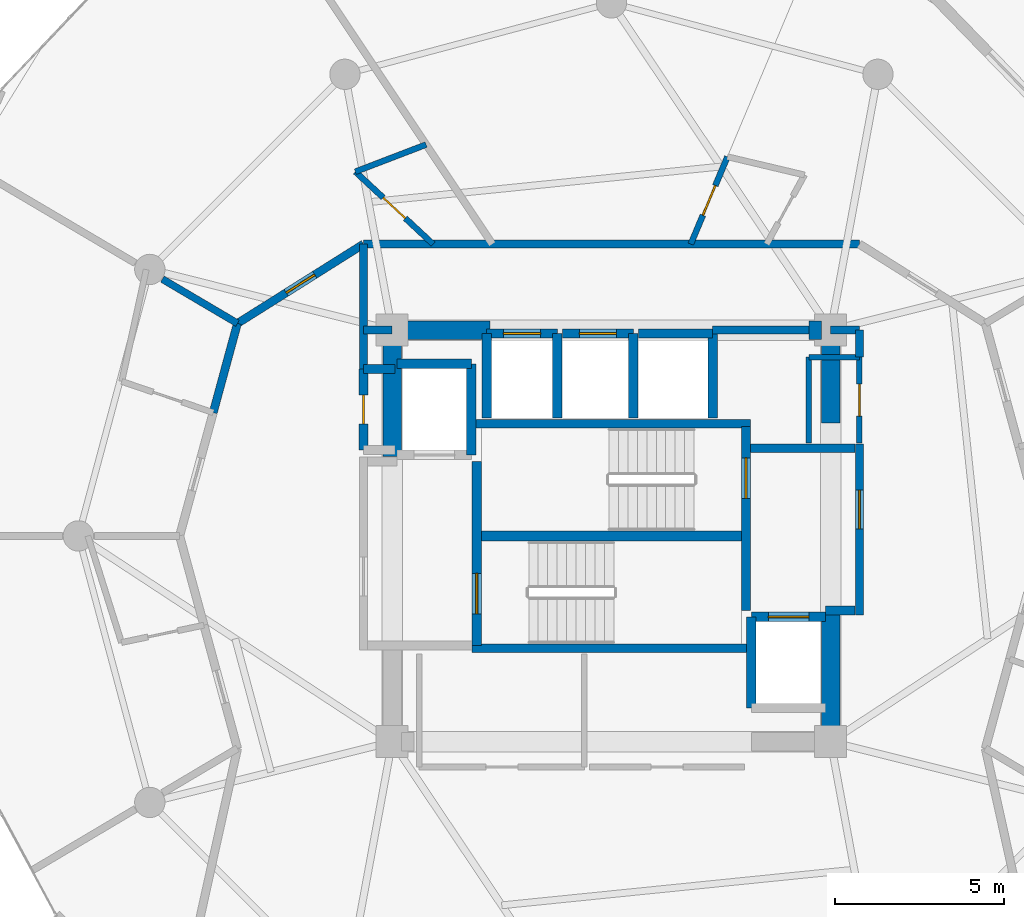
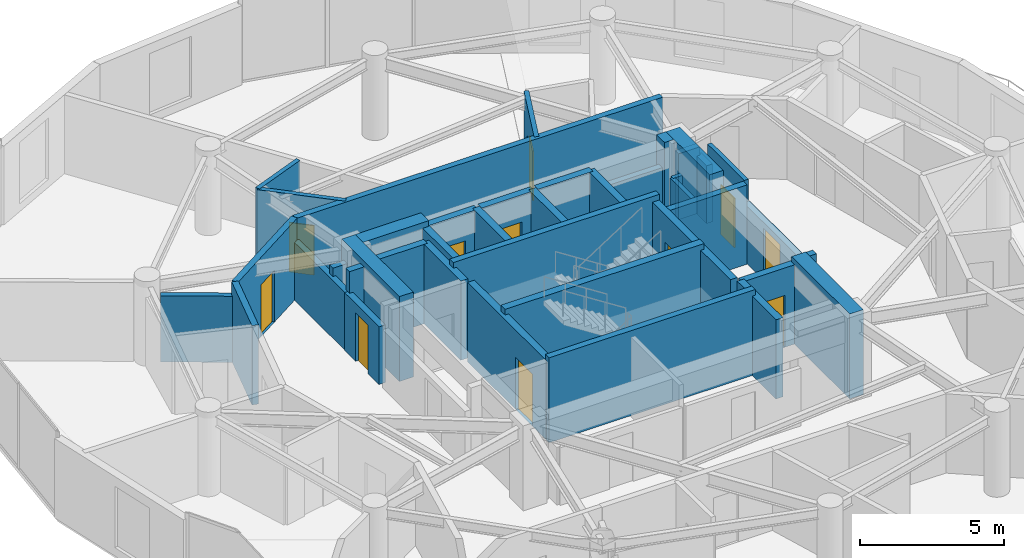
# One storey, part 19 of 23: 41 walls, 11 doors, 11 openings.
"""IFC4 building model written with IfcOpenShell, lengths in metres."""

from ifc_helpers import new_model, si_unit, direction, frame, frame_2d, origin, place, context, subcontext, project, spatial, rectangle, extrude, material, layer, layer_set, type_object, element, fill, save


model = new_model("IFC4")

# Units and contexts
model_context = context("Model", 3, precision=1e-05, world=origin(), true_north=direction((0.0, 1.0)))
body_context = subcontext(model_context, "Body", "Model", "MODEL_VIEW")
ifc_project = project(units=[si_unit("LENGTHUNIT", "METRE"), si_unit("AREAUNIT", "SQUARE_METRE"), si_unit("VOLUMEUNIT", "CUBIC_METRE"), si_unit("PLANEANGLEUNIT", "RADIAN"), si_unit("MASSUNIT", "GRAM", prefix="KILO")], contexts=[model_context])

# Site, building, storey
site_placement = place(None, origin())
site = spatial("IfcSite", under=ifc_project, at=site_placement, CompositionType="ELEMENT")
building_placement = place(site_placement, origin())
building = spatial("IfcBuilding", under=site, at=building_placement, Name="Solvirekh Grand Hotel", CompositionType="ELEMENT")
storey_placement = place(building_placement, frame((0.0, 0.0, 173.199951171875)))
storey = spatial("IfcBuildingStorey", under=building, at=storey_placement, Name="L44", CompositionType="ELEMENT", Elevation=173.199951171875)

# Walls
ifc_material_1 = material(Name="Concrete C50/60", Category="concrete")
ifc_layer_1 = layer(ifc_material_1, 0.35009765625)
ifc_layer_set_1 = layer_set([ifc_layer_1], Name="Concrete C50/60")
wall_type_1 = type_object("IfcWallType", Name="CoreDivWall_RC350", PredefinedType="SOLIDWALL", material=ifc_layer_set_1)
for number, where, z_axis, x_axis, name in (
    (1, (-4.1298828125, -3.324951171875, 0.0), (0.0, 0.0, 1.0), (1.0, 0.0, 0.0), "L44 core stair box wall ST-S"),
    (2, (-4.1298828125, 3.324951171875, 0.0), (0.0, 0.0, 1.0), (1.0, 0.0, 0.0), "L44 core stair box wall ST-N"),
):
    element("IfcWall", number, at=place(storey_placement, frame(where, z_axis=z_axis, x_axis=x_axis)), inside=storey, type_object=wall_type_1, Name=name, PredefinedType="SOLIDWALL", context=body_context, shape_type="SweptSolid", body=[
        extrude(rectangle(XDim=8.259765625, YDim=0.25, at=frame_2d((4.1298828125, 0.0))), origin(), (0.0, 0.0, 1.0), 3.60009765625),
    ])

# Wall, opening, door
ifc_material_2 = material(Name="Concrete C40/50", Category="concrete")
ifc_layer_2 = layer(ifc_material_2, 0.280029296875)
ifc_layer_set_2 = layer_set([ifc_layer_2], Name="Concrete C40/50")
wall_type_2 = type_object("IfcWallType", Name="CoreShaftWall_RC280", PredefinedType="SOLIDWALL", material=ifc_layer_set_2)
wall_1_placement = place(storey_placement, frame((-1.60009765625, 6.0, 0.0), z_axis=(0.0, 0.0, 1.0), x_axis=(-1.0, 0.0, 0.0)))
wall_1 = element("IfcWall", 3, at=wall_1_placement, inside=storey, type_object=wall_type_2, Name="L44 HP-1 hoistway N wall", PredefinedType="SOLIDWALL", context=body_context, shape_type="SweptSolid", body=[
    extrude(rectangle(XDim=2.099853515625, YDim=0.280029296875, at=frame_2d((1.0498046875, 0.0))), origin(), (0.0, 0.0, 1.0), 3.360107421875),
])
opening_1_placement = place(wall_1_placement, frame((0.5, 0.0, 0.0)))
opening_1 = element("IfcOpeningElement", 4, at=opening_1_placement, cuts=wall_1, Name="Opening LD01", PredefinedType="OPENING", context=body_context, shape_type="SweptSolid", body=[
    extrude(rectangle(XDim=1.10009765625, YDim=2.199951171875, at=frame_2d((0.550048828125, 1.10009765625))), frame((0.0, 0.14990234375, 0.0), z_axis=(0.0, -1.0, 0.0), x_axis=(1.0, 0.0, 0.0)), (0.0, 0.0, 1.0), 0.300048828125),
])
ifc_material_3 = material(Name="Fire-Rated Steel Door Assembly", Category="steel")
door_type_1 = type_object("IfcDoorType", Name="Door_LiftLanding_1100X2200", OperationType="SLIDING_TO_LEFT", PredefinedType="DOOR", material=ifc_material_3)
door_1_placement = place(opening_1_placement, origin())
door_1 = element("IfcDoor", 5, at=door_1_placement, inside=storey, type_object=door_type_1, Name="L44 HP-1 sliding lift landing door", OperationType="SLIDING_TO_LEFT", OverallHeight=2.199951171875, OverallWidth=1.10009765625, PredefinedType="DOOR", context=body_context, shape_type="SweptSolid", body=[
    extrude(rectangle(XDim=1.10009765625, YDim=2.199951171875, at=frame_2d((0.550048828125, 1.10009765625))), frame((0.0, 0.02490234375, 0.0), z_axis=(0.0, -1.0, 0.0), x_axis=(1.0, 0.0, 0.0)), (0.0, 0.0, 1.0), 0.050048828125),
])
fill(opening_1, door_1)

# Walls
for number, where, z_axis, x_axis, name in (
    (6, (-3.699951171875, 6.0, 0.0), (0.0, 0.0, 1.0), (0.0, -1.0, 0.0), "L44 HP-1 hoistway W wall"),
    (7, (-1.60009765625, 3.5, 0.0), (0.0, 0.0, 1.0), (0.0, 1.0, 0.0), "L44 HP-1 hoistway E wall"),
):
    element("IfcWall", number, at=place(storey_placement, frame(where, z_axis=z_axis, x_axis=x_axis)), inside=storey, type_object=wall_type_2, Name=name, PredefinedType="SOLIDWALL", context=body_context, shape_type="SweptSolid", body=[
        extrude(rectangle(XDim=2.5, YDim=0.280029296875, at=frame_2d((1.25, 0.0))), origin(), (0.0, 0.0, 1.0), 3.360107421875),
    ])

# Wall, opening, door
wall_2_placement = place(storey_placement, frame((0.64990234375, 6.0, 0.0), z_axis=(0.0, 0.0, 1.0), x_axis=(-1.0, 0.0, 0.0)))
wall_2 = element("IfcWall", 8, at=wall_2_placement, inside=storey, type_object=wall_type_2, Name="L44 HP-2 hoistway N wall", PredefinedType="SOLIDWALL", context=body_context, shape_type="SweptSolid", body=[
    extrude(rectangle(XDim=2.099853515625, YDim=0.280029296875, at=frame_2d((1.0498046875, 0.0))), origin(), (0.0, 0.0, 1.0), 3.360107421875),
])
opening_2_placement = place(wall_2_placement, frame((0.5, 0.0, 0.0)))
opening_2 = element("IfcOpeningElement", 9, at=opening_2_placement, cuts=wall_2, Name="Opening LD01", PredefinedType="OPENING", context=body_context, shape_type="SweptSolid", body=[
    extrude(rectangle(XDim=1.10009765625, YDim=2.199951171875, at=frame_2d((0.550048828125, 1.10009765625))), frame((0.0, 0.14990234375, 0.0), z_axis=(0.0, -1.0, 0.0), x_axis=(1.0, 0.0, 0.0)), (0.0, 0.0, 1.0), 0.300048828125),
])
door_2_placement = place(opening_2_placement, origin())
door_2 = element("IfcDoor", 10, at=door_2_placement, inside=storey, type_object=door_type_1, Name="L44 HP-2 sliding lift landing door", OperationType="SLIDING_TO_LEFT", OverallHeight=2.199951171875, OverallWidth=1.10009765625, PredefinedType="DOOR", context=body_context, shape_type="SweptSolid", body=[
    extrude(rectangle(XDim=1.10009765625, YDim=2.199951171875, at=frame_2d((0.550048828125, 1.10009765625))), frame((0.0, 0.02490234375, 0.0), z_axis=(0.0, -1.0, 0.0), x_axis=(1.0, 0.0, 0.0)), (0.0, 0.0, 1.0), 0.050048828125),
])
fill(opening_2, door_2)

# Walls
wall_3_placement = place(storey_placement, frame((0.64990234375, 3.5, 0.0), z_axis=(0.0, 0.0, 1.0), x_axis=(0.0, 1.0, 0.0)))
element("IfcWall", 11, at=wall_3_placement, inside=storey, type_object=wall_type_2, Name="L44 HP-2 hoistway E wall", PredefinedType="SOLIDWALL", context=body_context, shape_type="SweptSolid", body=[
    extrude(rectangle(XDim=2.5, YDim=0.280029296875, at=frame_2d((1.25, 0.0))), origin(), (0.0, 0.0, 1.0), 3.360107421875),
])
wall_4_placement = place(storey_placement, frame((3.0, 6.0, 0.0), z_axis=(0.0, 0.0, 1.0), x_axis=(-1.0, 0.0, 0.0)))
element("IfcWall", 12, at=wall_4_placement, inside=storey, type_object=wall_type_2, Name="L44 EX-1 hoistway N wall", PredefinedType="SOLIDWALL", context=body_context, shape_type="SweptSolid", body=[
    extrude(rectangle(XDim=2.199951171875, YDim=0.280029296875, at=frame_2d((1.10009765625, 0.0))), origin(), (0.0, 0.0, 1.0), 3.360107421875),
])
wall_5_placement = place(storey_placement, frame((3.0, 3.5, 0.0), z_axis=(0.0, 0.0, 1.0), x_axis=(0.0, 1.0, 0.0)))
element("IfcWall", 13, at=wall_5_placement, inside=storey, type_object=wall_type_2, Name="L44 EX-1 hoistway E wall", PredefinedType="SOLIDWALL", context=body_context, shape_type="SweptSolid", body=[
    extrude(rectangle(XDim=2.5, YDim=0.280029296875, at=frame_2d((1.25, 0.0))), origin(), (0.0, 0.0, 1.0), 3.360107421875),
])
wall_6_placement = place(storey_placement, frame((-4.14990234375, 5.10009765625, 0.0), z_axis=(0.0, 0.0, 1.0), x_axis=(-1.0, 0.0, 0.0)))
element("IfcWall", 14, at=wall_6_placement, inside=storey, type_object=wall_type_2, Name="L44 FL-1 hoistway N wall", PredefinedType="SOLIDWALL", context=body_context, shape_type="SweptSolid", body=[
    extrude(rectangle(XDim=2.2001953125, YDim=0.280029296875, at=frame_2d((1.10009765625, 0.0))), origin(), (0.0, 0.0, 1.0), 3.360107421875),
])
wall_7_placement = place(storey_placement, frame((-4.14990234375, 2.39990234375, 0.0), z_axis=(0.0, 0.0, 1.0), x_axis=(0.0, 1.0, 0.0)))
element("IfcWall", 15, at=wall_7_placement, inside=storey, type_object=wall_type_2, Name="L44 FL-1 hoistway E wall", PredefinedType="SOLIDWALL", context=body_context, shape_type="SweptSolid", body=[
    extrude(rectangle(XDim=2.7001953125, YDim=0.280029296875, at=frame_2d((1.35009765625, 0.0))), origin(), (0.0, 0.0, 1.0), 3.360107421875),
])

# Wall, opening, door
wall_8_placement = place(storey_placement, frame((6.35009765625, -2.39990234375, 0.0), z_axis=(0.0, 0.0, 1.0), x_axis=(-1.0, 0.0, 0.0)))
wall_8 = element("IfcWall", 16, at=wall_8_placement, inside=storey, type_object=wall_type_2, Name="L44 FL-2 hoistway N wall", PredefinedType="SOLIDWALL", context=body_context, shape_type="SweptSolid", body=[
    extrude(rectangle(XDim=2.2001953125, YDim=0.280029296875, at=frame_2d((1.10009765625, 0.0))), origin(), (0.0, 0.0, 1.0), 3.360107421875),
])
opening_3_placement = place(wall_8_placement, frame((0.5, 0.0, 0.0)))
opening_3 = element("IfcOpeningElement", 17, at=opening_3_placement, cuts=wall_8, Name="Opening LD02", PredefinedType="OPENING", context=body_context, shape_type="SweptSolid", body=[
    extrude(rectangle(XDim=1.199951171875, YDim=2.199951171875, at=frame_2d((0.60009765625, 1.10009765625))), frame((0.0, 0.14990234375, 0.0), z_axis=(0.0, -1.0, 0.0), x_axis=(1.0, 0.0, 0.0)), (0.0, 0.0, 1.0), 0.300048828125),
])
door_type_2 = type_object("IfcDoorType", Name="Door_LiftFF_1200X2200", OperationType="SLIDING_TO_LEFT", PredefinedType="DOOR", material=ifc_material_3)
door_3_placement = place(opening_3_placement, origin())
door_3 = element("IfcDoor", 18, at=door_3_placement, inside=storey, type_object=door_type_2, Name="L44 FL-2 sliding lift landing door", OperationType="SLIDING_TO_LEFT", OverallHeight=2.199951171875, OverallWidth=1.199951171875, PredefinedType="DOOR", context=body_context, shape_type="SweptSolid", body=[
    extrude(rectangle(XDim=1.199951171875, YDim=2.199951171875, at=frame_2d((0.60009765625, 1.10009765625))), frame((0.0, 0.02490234375, 0.0), z_axis=(0.0, -1.0, 0.0), x_axis=(1.0, 0.0, 0.0)), (0.0, 0.0, 1.0), 0.050048828125),
])
fill(opening_3, door_3)

# Wall
wall_9_placement = place(storey_placement, frame((4.14990234375, -2.39990234375, 0.0), z_axis=(0.0, 0.0, 1.0), x_axis=(0.0, -1.0, 0.0)))
element("IfcWall", 19, at=wall_9_placement, inside=storey, type_object=wall_type_2, Name="L44 FL-2 hoistway W wall", PredefinedType="SOLIDWALL", context=body_context, shape_type="SweptSolid", body=[
    extrude(rectangle(XDim=2.7001953125, YDim=0.280029296875, at=frame_2d((1.35009765625, 0.0))), origin(), (0.0, 0.0, 1.0), 3.360107421875),
])

# Wall, opening, door
wall_10_placement = place(storey_placement, frame((-3.989990234375, -3.25, 0.0), z_axis=(0.0, 0.0, 1.0), x_axis=(0.0, 1.0, 0.0)))
wall_10 = element("IfcWall", 20, at=wall_10_placement, inside=storey, type_object=wall_type_2, Name="L44 west stair landing enclosure wall", PredefinedType="SOLIDWALL", context=body_context, shape_type="SweptSolid", body=[
    extrude(rectangle(XDim=5.4599609375, YDim=0.280029296875, at=frame_2d((2.72998046875, 0.0))), origin(), (0.0, 0.0, 1.0), 3.360107421875),
])
opening_4_placement = place(wall_10_placement, frame((0.93701171875, 0.0, 0.0)))
opening_4 = element("IfcOpeningElement", 21, at=opening_4_placement, cuts=wall_10, Name="Opening D05", PredefinedType="OPENING", context=body_context, shape_type="SweptSolid", body=[
    extrude(rectangle(XDim=1.199951171875, YDim=2.199951171875, at=frame_2d((0.60009765625, 1.10009765625))), frame((0.0, 0.14990234375, 0.0), z_axis=(0.0, -1.0, 0.0), x_axis=(1.0, 0.0, 0.0)), (0.0, 0.0, 1.0), 0.300048828125),
])
door_type_3 = type_object("IfcDoorType", Name="Door_StairCore_1200X2200", OperationType="NOTDEFINED", PredefinedType="DOOR", material=ifc_material_3)
door_4_placement = place(opening_4_placement, origin())
door_4 = element("IfcDoor", 22, at=door_4_placement, inside=storey, type_object=door_type_3, Name="L44 exit stair ST-1 fire door", OperationType="SINGLE_SWING_LEFT", OverallHeight=2.199951171875, OverallWidth=1.199951171875, PredefinedType="DOOR", context=body_context, shape_type="SweptSolid", body=[
    extrude(rectangle(XDim=1.199951171875, YDim=2.199951171875, at=frame_2d((0.60009765625, 1.10009765625))), frame((0.0, 0.02490234375, 0.0), z_axis=(0.0, -1.0, 0.0), x_axis=(1.0, 0.0, 0.0)), (0.0, 0.0, 1.0), 0.050048828125),
])
fill(opening_4, door_4)

wall_11_placement = place(storey_placement, frame((3.989990234375, -2.2099609375, 0.0), z_axis=(0.0, 0.0, 1.0), x_axis=(0.0, 1.0, 0.0)))
wall_11 = element("IfcWall", 23, at=wall_11_placement, inside=storey, type_object=wall_type_2, Name="L44 east stair landing enclosure wall", PredefinedType="SOLIDWALL", context=body_context, shape_type="SweptSolid", body=[
    extrude(rectangle(XDim=5.4599609375, YDim=0.280029296875, at=frame_2d((2.72998046875, 0.0))), origin(), (0.0, 0.0, 1.0), 3.360107421875),
])
opening_5_placement = place(wall_11_placement, frame((3.322998046875, 0.0, 0.0)))
opening_5 = element("IfcOpeningElement", 24, at=opening_5_placement, cuts=wall_11, Name="Opening D05", PredefinedType="OPENING", context=body_context, shape_type="SweptSolid", body=[
    extrude(rectangle(XDim=1.199951171875, YDim=2.199951171875, at=frame_2d((0.60009765625, 1.10009765625))), frame((0.0, 0.14990234375, 0.0), z_axis=(0.0, -1.0, 0.0), x_axis=(1.0, 0.0, 0.0)), (0.0, 0.0, 1.0), 0.300048828125),
])
door_5_placement = place(opening_5_placement, origin())
door_5 = element("IfcDoor", 25, at=door_5_placement, inside=storey, type_object=door_type_3, Name="L44 exit stair ST-2 fire door", OperationType="SINGLE_SWING_RIGHT", OverallHeight=2.199951171875, OverallWidth=1.199951171875, PredefinedType="DOOR", context=body_context, shape_type="SweptSolid", body=[
    extrude(rectangle(XDim=1.199951171875, YDim=2.199951171875, at=frame_2d((0.60009765625, 1.10009765625))), frame((0.0, 0.02490234375, 0.0), z_axis=(0.0, -1.0, 0.0), x_axis=(1.0, 0.0, 0.0)), (0.0, 0.0, 1.0), 0.050048828125),
])
fill(opening_5, door_5)

# Walls
ifc_layer_3 = layer(ifc_material_1, 0.550048828125)
ifc_layer_set_3 = layer_set([ifc_layer_3], Name="Concrete C50/60")
wall_type_3 = type_object("IfcWallType", Name="CoreWall_RC550", PredefinedType="SHEAR", material=ifc_layer_set_3)
wall_12_placement = place(storey_placement, frame((-3.989990234375, 0.0, 0.0), z_axis=(0.0, 0.0, 1.0), x_axis=(1.0, 0.0, 0.0)))
element("IfcWall", 26, at=wall_12_placement, inside=storey, type_object=wall_type_3, Name="L44 central stair-spine shear wall", PredefinedType="SHEAR", context=body_context, shape_type="SweptSolid", body=[
    extrude(rectangle(XDim=7.97998046875, YDim=0.300048828125, at=frame_2d((3.989990234375, 0.0))), origin(), (0.0, 0.0, 1.0), 3.60009765625),
])
wall_13_placement = place(storey_placement, frame((-6.22509765625, 6.10009765625, 0.0), z_axis=(0.0, 0.0, 1.0), x_axis=(1.0, 0.0, 0.0)))
element("IfcWall", 27, at=wall_13_placement, inside=storey, type_object=wall_type_3, Name="L44 core corner shear wall NW-N", PredefinedType="SHEAR", context=body_context, shape_type="SweptSolid", body=[
    extrude(rectangle(XDim=2.625, YDim=0.550048828125, at=frame_2d((1.3125, 0.0))), origin(), (0.0, 0.0, 1.0), 3.60009765625),
])
wall_14_placement = place(storey_placement, frame((5.85009765625, 6.10009765625, 0.0), z_axis=(0.0, 0.0, 1.0), x_axis=(1.0, 0.0, 0.0)))
element("IfcWall", 28, at=wall_14_placement, inside=storey, type_object=wall_type_3, Name="L44 core corner shear wall NE-N", PredefinedType="SHEAR", context=body_context, shape_type="SweptSolid", body=[
    extrude(rectangle(XDim=0.375, YDim=0.550048828125, at=frame_2d((0.1875, 0.0))), origin(), (0.0, 0.0, 1.0), 3.60009765625),
])
for number, where, z_axis, x_axis, name in (
    (29, (-6.5, 2.35009765625, 0.0), (0.0, 0.0, 1.0), (0.0, 1.0, 0.0), "L44 core corner shear wall WN-W"),
    (30, (6.5, -6.375, 0.0), (0.0, 0.0, 1.0), (0.0, 1.0, 0.0), "L44 core corner shear wall ES-E"),
):
    element("IfcWall", number, at=place(storey_placement, frame(where, z_axis=z_axis, x_axis=x_axis)), inside=storey, type_object=wall_type_3, Name=name, PredefinedType="SHEAR", context=body_context, shape_type="SweptSolid", body=[
        extrude(rectangle(XDim=4.02490234375, YDim=0.550048828125, at=frame_2d((2.012451171875, 0.0))), origin(), (0.0, 0.0, 1.0), 3.60009765625),
    ])
wall_15_placement = place(storey_placement, frame((6.5, 3.35009765625, 0.0), z_axis=(0.0, 0.0, 1.0), x_axis=(0.0, 1.0, 0.0)))
element("IfcWall", 31, at=wall_15_placement, inside=storey, type_object=wall_type_3, Name="L44 core corner shear wall EN-E", PredefinedType="SHEAR", context=body_context, shape_type="SweptSolid", body=[
    extrude(rectangle(XDim=3.02490234375, YDim=0.550048828125, at=frame_2d((1.512451171875, 0.0))), origin(), (0.0, 0.0, 1.0), 3.60009765625),
])

# Wall, opening, door
ifc_material_4 = material(Name="Acoustic Gypsum Partition Assembly")
ifc_layer_4 = layer(ifc_material_4, 0.1650390625)
ifc_layer_set_4 = layer_set([ifc_layer_4], Name="Acoustic Gypsum Partition Assembly")
wall_type_4 = type_object("IfcWallType", Name="Part_BOH_165", PredefinedType="PARTITIONING", material=ifc_layer_set_4)
wall_16_placement = place(storey_placement, frame((7.35009765625, 2.75, 0.0), z_axis=(0.0, 0.0, 1.0), x_axis=(0.0, 1.0, 0.0)))
wall_16 = element("IfcWall", 32, at=wall_16_placement, inside=storey, type_object=wall_type_4, Name="L44 L44 Core Housekeeping & Linen Room wall 2", PredefinedType="PARTITIONING", context=body_context, shape_type="SweptSolid", body=[
    extrude(rectangle(XDim=2.550048828125, YDim=0.1650390625, at=frame_2d((1.27490234375, 0.0))), origin(), (0.0, 0.0, 1.0), 3.360107421875),
])
opening_6_placement = place(wall_16_placement, frame((0.800048828125, 0.0, 0.0)))
opening_6 = element("IfcOpeningElement", 33, at=opening_6_placement, cuts=wall_16, Name="Opening D10", PredefinedType="OPENING", context=body_context, shape_type="SweptSolid", body=[
    extrude(rectangle(XDim=0.949951171875, YDim=2.10009765625, at=frame_2d((0.47509765625, 1.050048828125))), frame((0.0, 0.092529296875, 0.0), z_axis=(0.0, -1.0, 0.0), x_axis=(1.0, 0.0, 0.0)), (0.0, 0.0, 1.0), 0.18505859375),
])
ifc_material_5 = material(Name="Anodized Bronze Aluminium 6063-T6", Category="aluminium")
door_type_4 = type_object("IfcDoorType", Name="Door_RoomInt_950X2100", OperationType="NOTDEFINED", PredefinedType="DOOR", material=ifc_material_5)
door_6_placement = place(opening_6_placement, origin())
door_6 = element("IfcDoor", 34, at=door_6_placement, inside=storey, type_object=door_type_4, Name="L44 L44 Core Housekeeping & Linen Room door", OperationType="SINGLE_SWING_RIGHT", OverallHeight=2.10009765625, OverallWidth=0.949951171875, PredefinedType="DOOR", context=body_context, shape_type="SweptSolid", body=[
    extrude(rectangle(XDim=0.949951171875, YDim=2.10009765625, at=frame_2d((0.47509765625, 1.050048828125))), frame((0.0, 0.02490234375, 0.0), z_axis=(0.0, -1.0, 0.0), x_axis=(1.0, 0.0, 0.0)), (0.0, 0.0, 1.0), 0.050048828125),
])
fill(opening_6, door_6)

# Walls
wall_17_placement = place(storey_placement, frame((7.35009765625, 5.300048828125, 0.0), z_axis=(0.0, 0.0, 1.0), x_axis=(-1.0, 0.0, 0.0)))
element("IfcWall", 35, at=wall_17_placement, inside=storey, type_object=wall_type_4, Name="L44 L44 Core Housekeeping & Linen Room wall 3", PredefinedType="PARTITIONING", context=body_context, shape_type="SweptSolid", body=[
    extrude(rectangle(XDim=1.5, YDim=0.1650390625, at=frame_2d((0.75, 0.0))), origin(), (0.0, 0.0, 1.0), 2.445068359375),
])
wall_18_placement = place(storey_placement, frame((5.85009765625, 5.300048828125, 0.0), z_axis=(0.0, 0.0, 1.0), x_axis=(0.0, -1.0, 0.0)))
element("IfcWall", 36, at=wall_18_placement, inside=storey, type_object=wall_type_4, Name="L44 L44 Core Housekeeping & Linen Room wall 4", PredefinedType="PARTITIONING", context=body_context, shape_type="SweptSolid", body=[
    extrude(rectangle(XDim=2.550048828125, YDim=0.1650390625, at=frame_2d((1.27490234375, 0.0))), origin(), (0.0, 0.0, 1.0), 2.445068359375),
])

# Wall, opening, door
ifc_layer_5 = layer(ifc_material_4, 0.239990234375)
ifc_layer_set_5 = layer_set([ifc_layer_5], Name="Acoustic Gypsum Partition Assembly")
wall_type_5 = type_object("IfcWallType", Name="Part_Corridor_240", PredefinedType="PARTITIONING", material=ifc_layer_set_5)
wall_19_placement = place(storey_placement, frame((7.35009765625, -2.340087890625, 0.0), z_axis=(0.0, 0.0, 1.0), x_axis=(0.0, 1.0, 0.0)))
wall_19 = element("IfcWall", 37, at=wall_19_placement, inside=storey, type_object=wall_type_5, Name="L44 east firefighting lobby smoke screen wall", PredefinedType="PARTITIONING", context=body_context, shape_type="SweptSolid", body=[
    extrude(rectangle(XDim=5.070068359375, YDim=0.239990234375, at=frame_2d((2.53515625, 0.0))), origin(), (0.0, 0.0, 1.0), 2.445068359375),
])
opening_7_placement = place(wall_19_placement, frame((2.548095703125, 0.0, 0.0)))
opening_7 = element("IfcOpeningElement", 38, at=opening_7_placement, cuts=wall_19, Name="Opening D06", PredefinedType="OPENING", context=body_context, shape_type="SweptSolid", body=[
    extrude(rectangle(XDim=1.14990234375, YDim=2.199951171875, at=frame_2d((0.574951171875, 1.10009765625))), frame((0.0, 0.1298828125, 0.0), z_axis=(0.0, -1.0, 0.0), x_axis=(1.0, 0.0, 0.0)), (0.0, 0.0, 1.0), 0.260009765625),
])
door_type_5 = type_object("IfcDoorType", Name="Door_FFLobby_1150X2200", OperationType="NOTDEFINED", PredefinedType="DOOR", material=ifc_material_3)
door_7_placement = place(opening_7_placement, origin())
door_7 = element("IfcDoor", 39, at=door_7_placement, inside=storey, type_object=door_type_5, Name="L44 east firefighting lobby smoke door", OperationType="SINGLE_SWING_RIGHT", OverallHeight=2.199951171875, OverallWidth=1.14990234375, PredefinedType="DOOR", context=body_context, shape_type="SweptSolid", body=[
    extrude(rectangle(XDim=1.14990234375, YDim=2.199951171875, at=frame_2d((0.574951171875, 1.10009765625))), frame((0.0, 0.02490234375, 0.0), z_axis=(0.0, -1.0, 0.0), x_axis=(1.0, 0.0, 0.0)), (0.0, 0.0, 1.0), 0.050048828125),
])
fill(opening_7, door_7)

# Walls
wall_20_placement = place(storey_placement, frame((-7.35009765625, 8.64990234375, 0.0), z_axis=(0.0, 0.0, 1.0), x_axis=(1.0, 0.0, 0.0)))
element("IfcWall", 40, at=wall_20_placement, inside=storey, type_object=wall_type_5, Name="L44 north lift lobby enclosure wall", PredefinedType="PARTITIONING", context=body_context, shape_type="SweptSolid", body=[
    extrude(rectangle(XDim=14.7001953125, YDim=0.239990234375, at=frame_2d((7.35009765625, 0.0))), origin(), (0.0, 0.0, 1.0), 3.360107421875),
])
wall_21_placement = place(storey_placement, frame((3.0, 6.10009765625, 0.0), z_axis=(0.0, 0.0, 1.0), x_axis=(1.0, 0.0, 0.0)))
element("IfcWall", 41, at=wall_21_placement, inside=storey, type_object=wall_type_5, Name="L44 north core shaft infill wall", PredefinedType="PARTITIONING", context=body_context, shape_type="SweptSolid", body=[
    extrude(rectangle(XDim=2.85009765625, YDim=0.239990234375, at=frame_2d((1.425048828125, 0.0))), origin(), (0.0, 0.0, 1.0), 2.445068359375),
])
wall_22_placement = place(storey_placement, frame((7.35009765625, 5.300048828125, 0.0), z_axis=(0.0, 0.0, 1.0), x_axis=(0.0, 1.0, 0.0)))
element("IfcWall", 42, at=wall_22_placement, inside=storey, type_object=wall_type_5, Name="L44 NE core cheek closure wall", PredefinedType="PARTITIONING", context=body_context, shape_type="SweptSolid", body=[
    extrude(rectangle(XDim=0.800048828125, YDim=0.239990234375, at=frame_2d((0.39990234375, 0.0))), origin(), (0.0, 0.0, 1.0), 2.445068359375),
])
wall_23_placement = place(storey_placement, frame((6.5, 6.10009765625, 0.0), z_axis=(0.0, 0.0, 1.0), x_axis=(1.0, 0.0, 0.0)))
element("IfcWall", 43, at=wall_23_placement, inside=storey, type_object=wall_type_5, Name="L44 NE core corner tie wall", PredefinedType="PARTITIONING", context=body_context, shape_type="SweptSolid", body=[
    extrude(rectangle(XDim=0.85009765625, YDim=0.239990234375, at=frame_2d((0.425048828125, 0.0))), origin(), (0.0, 0.0, 1.0), 2.801025390625),
])
wall_24_placement = place(storey_placement, frame((-7.35009765625, 4.949951171875, 0.0), z_axis=(0.0, 0.0, 1.0), x_axis=(0.0, 1.0, 0.0)))
element("IfcWall", 44, at=wall_24_placement, inside=storey, type_object=wall_type_5, Name="L44 north lift lobby west wall", PredefinedType="PARTITIONING", context=body_context, shape_type="SweptSolid", body=[
    extrude(rectangle(XDim=3.699951171875, YDim=0.239990234375, at=frame_2d((1.85009765625, 0.0))), origin(), (0.0, 0.0, 1.0), 2.445068359375),
])
wall_25_placement = place(storey_placement, frame((-7.35009765625, 6.10009765625, 0.0), z_axis=(0.0, 0.0, 1.0), x_axis=(1.0, 0.0, 0.0)))
element("IfcWall", 45, at=wall_25_placement, inside=storey, type_object=wall_type_5, Name="L44 NW core corner closure wall", PredefinedType="PARTITIONING", context=body_context, shape_type="SweptSolid", body=[
    extrude(rectangle(XDim=0.85009765625, YDim=0.239990234375, at=frame_2d((0.425048828125, 0.0))), origin(), (0.0, 0.0, 1.0), 2.801025390625),
])

# Wall, opening, door
wall_26_placement = place(storey_placement, frame((-11.0849609375, 6.300048828125, 0.0), z_axis=(0.0, 0.0, 1.0), x_axis=(0.846409267484, 0.532532958526, 0.0)))
wall_26 = element("IfcWall", 46, at=wall_26_placement, inside=storey, type_object=wall_type_5, Name="L44 Deluxe Guestroom 4602 entrance wall", PredefinedType="PARTITIONING", context=body_context, shape_type="SweptSolid", body=[
    extrude(rectangle(XDim=4.41259765625, YDim=0.239990234375, at=frame_2d((2.206298828125, 0.0))), origin(), (0.0, 0.0, 1.0), 3.360107421875),
])
opening_8_placement = place(wall_26_placement, frame((1.7060546875, 0.0, 0.0)))
opening_8 = element("IfcOpeningElement", 47, at=opening_8_placement, cuts=wall_26, Name="Opening D07", PredefinedType="OPENING", context=body_context, shape_type="SweptSolid", body=[
    extrude(rectangle(XDim=1.0, YDim=2.199951171875, at=frame_2d((0.5, 1.10009765625))), frame((0.0, 0.1298828125, 0.0), z_axis=(0.0, -1.0, 0.0), x_axis=(1.0, 0.0, 0.0)), (0.0, 0.0, 1.0), 0.260009765625),
])
door_type_6 = type_object("IfcDoorType", Name="Door_GuestEntry_1000X2200", OperationType="NOTDEFINED", PredefinedType="DOOR", material=ifc_material_3)
door_8_placement = place(opening_8_placement, origin())
door_8 = element("IfcDoor", 48, at=door_8_placement, inside=storey, type_object=door_type_6, Name="L44 Deluxe Guestroom 4602 entrance door", OperationType="SINGLE_SWING_LEFT", OverallHeight=2.199951171875, OverallWidth=1.0, PredefinedType="DOOR", context=body_context, shape_type="SweptSolid", body=[
    extrude(rectangle(XDim=1.0, YDim=2.199951171875, at=frame_2d((0.5, 1.10009765625))), frame((0.0, 0.02490234375, 0.0), z_axis=(0.0, -1.0, 0.0), x_axis=(1.0, 0.0, 0.0)), (0.0, 0.0, 1.0), 0.050048828125),
])
fill(opening_8, door_8)

# Walls
wall_27_placement = place(storey_placement, frame((-11.0849609375, 6.300048828125, 0.0), z_axis=(0.0, 0.0, 1.0), x_axis=(-0.262552356383, -0.964917747872, 0.0)))
element("IfcWall", 49, at=wall_27_placement, inside=storey, type_object=wall_type_5, Name="L44 En-suite Bathroom 4603 corridor backing wall", PredefinedType="PARTITIONING", context=body_context, shape_type="SweptSolid", body=[
    extrude(rectangle(XDim=2.7421875, YDim=0.239990234375, at=frame_2d((1.37109375, 0.0))), origin(), (0.0, 0.0, 1.0), 3.360107421875),
])
ifc_layer_6 = layer(ifc_material_4, 0.260009765625)
ifc_layer_set_6 = layer_set([ifc_layer_6], Name="Acoustic Gypsum Partition Assembly")
wall_type_6 = type_object("IfcWallType", Name="Part_LobbyFF_260", PredefinedType="PARTITIONING", material=ifc_layer_set_6)
wall_28_placement = place(storey_placement, frame((6.35009765625, -2.2099609375, 0.0), z_axis=(0.0, 0.0, 1.0), x_axis=(1.0, 0.0, 0.0)))
element("IfcWall", 50, at=wall_28_placement, inside=storey, type_object=wall_type_6, Name="L44 east firefighting lobby SE cheek", PredefinedType="PARTITIONING", context=body_context, shape_type="SweptSolid", body=[
    extrude(rectangle(XDim=0.875, YDim=0.260009765625, at=frame_2d((0.4375, 0.0))), origin(), (0.0, 0.0, 1.0), 3.360107421875),
])
wall_29_placement = place(storey_placement, frame((4.1298828125, 2.60009765625, 0.0), z_axis=(0.0, 0.0, 1.0), x_axis=(1.0, 0.0, 0.0)))
element("IfcWall", 51, at=wall_29_placement, inside=storey, type_object=wall_type_6, Name="L44 east firefighting lobby north partition", PredefinedType="PARTITIONING", context=body_context, shape_type="SweptSolid", body=[
    extrude(rectangle(XDim=3.09521484375, YDim=0.260009765625, at=frame_2d((1.547607421875, 0.0))), origin(), (0.0, 0.0, 1.0), 3.360107421875),
])
wall_30_placement = place(storey_placement, frame((-7.35009765625, 4.949951171875, 0.0), z_axis=(0.0, 0.0, 1.0), x_axis=(1.0, 0.0, 0.0)))
element("IfcWall", 52, at=wall_30_placement, inside=storey, type_object=wall_type_6, Name="L44 NW telecom metering cupboard north wall", PredefinedType="PARTITIONING", context=body_context, shape_type="SweptSolid", body=[
    extrude(rectangle(XDim=0.93017578125, YDim=0.260009765625, at=frame_2d((0.465087890625, 0.0))), origin(), (0.0, 0.0, 1.0), 3.360107421875),
])

# Wall, opening, door
wall_31_placement = place(storey_placement, frame((-7.35009765625, 2.550048828125, 0.0), z_axis=(0.0, 0.0, 1.0), x_axis=(0.0, 1.0, 0.0)))
wall_31 = element("IfcWall", 53, at=wall_31_placement, inside=storey, type_object=wall_type_6, Name="L44 NW telecom metering cupboard access wall", PredefinedType="PARTITIONING", context=body_context, shape_type="SweptSolid", body=[
    extrude(rectangle(XDim=2.39990234375, YDim=0.260009765625, at=frame_2d((1.199951171875, 0.0))), origin(), (0.0, 0.0, 1.0), 2.445068359375),
])
opening_9_placement = place(wall_31_placement, frame((0.77490234375, 0.0, 0.0)))
opening_9 = element("IfcOpeningElement", 54, at=opening_9_placement, cuts=wall_31, Name="Opening D13", PredefinedType="OPENING", context=body_context, shape_type="SweptSolid", body=[
    extrude(rectangle(XDim=0.85009765625, YDim=2.050048828125, at=frame_2d((0.425048828125, 1.02490234375))), frame((0.0, 0.14013671875, 0.0), z_axis=(0.0, -1.0, 0.0), x_axis=(1.0, 0.0, 0.0)), (0.0, 0.0, 1.0), 0.280029296875),
])
door_type_7 = type_object("IfcDoorType", Name="Door_RiserShaft_850X2050", OperationType="NOTDEFINED", PredefinedType="DOOR", material=ifc_material_3)
door_9_placement = place(opening_9_placement, origin())
door_9 = element("IfcDoor", 55, at=door_9_placement, inside=storey, type_object=door_type_7, Name="L44 telecom metering cupboard access door", OperationType="SINGLE_SWING_LEFT", OverallHeight=2.050048828125, OverallWidth=0.85009765625, PredefinedType="DOOR", context=body_context, shape_type="SweptSolid", body=[
    extrude(rectangle(XDim=0.85009765625, YDim=2.050048828125, at=frame_2d((0.425048828125, 1.02490234375))), frame((0.0, 0.02490234375, 0.0), z_axis=(0.0, -1.0, 0.0), x_axis=(1.0, 0.0, 0.0)), (0.0, 0.0, 1.0), 0.050048828125),
])
fill(opening_9, door_9)

# Wall
ifc_layer_7 = layer(ifc_material_4, 0.2099609375)
ifc_layer_set_7 = layer_set([ifc_layer_7], Name="Acoustic Gypsum Partition Assembly")
wall_type_7 = type_object("IfcWallType", Name="Part_SuiteDemise_210", PredefinedType="PARTITIONING", material=ifc_layer_set_7)
wall_32_placement = place(storey_placement, frame((-11.0849609375, 6.300048828125, 0.0), z_axis=(0.0, 0.0, 1.0), x_axis=(-0.86133622593, 0.508035339225, 0.0)))
element("IfcWall", 56, at=wall_32_placement, inside=storey, type_object=wall_type_7, Name="L44 suite radial wall 6 (A)", PredefinedType="PARTITIONING", context=body_context, shape_type="SweptSolid", body=[
    extrude(rectangle(XDim=2.58447265625, YDim=0.2099609375, at=frame_2d((1.292236328125, 0.0))), origin(), (0.0, 0.0, 1.0), 2.801025390625),
])

# Wall, opening, door
ifc_layer_8 = layer(ifc_material_4, 0.175048828125)
ifc_layer_set_8 = layer_set([ifc_layer_8], Name="Acoustic Gypsum Partition Assembly")
wall_type_8 = type_object("IfcWallType", Name="Plumb_Ensuite_175", PredefinedType="PLUMBINGWALL", material=ifc_layer_set_8)
wall_33_placement = place(storey_placement, frame((3.43896484375, 11.239013671875, 0.0), z_axis=(0.0, 0.0, 1.0), x_axis=(-0.387077273479, -0.922047278807, 0.0)))
wall_33 = element("IfcWall", 57, at=wall_33_placement, inside=storey, type_object=wall_type_8, Name="L44 En-suite Bathroom 4601 side plumbing wall", PredefinedType="PLUMBINGWALL", context=body_context, shape_type="SweptSolid", body=[
    extrude(rectangle(XDim=2.80810546875, YDim=0.175048828125, at=frame_2d((1.404052734375, 0.0))), origin(), (0.0, 0.0, 1.0), 3.360107421875),
])
opening_10_placement = place(wall_33_placement, frame((0.928955078125, 0.0, 0.0)))
opening_10 = element("IfcOpeningElement", 58, at=opening_10_placement, cuts=wall_33, Name="Opening D10", PredefinedType="OPENING", context=body_context, shape_type="SweptSolid", body=[
    extrude(rectangle(XDim=0.949951171875, YDim=2.10009765625, at=frame_2d((0.47509765625, 1.050048828125))), frame((0.0, 0.09765625, 0.0), z_axis=(0.0, -1.0, 0.0), x_axis=(1.0, 0.0, 0.0)), (0.0, 0.0, 1.0), 0.195068359375),
])
door_10_placement = place(opening_10_placement, origin())
door_10 = element("IfcDoor", 59, at=door_10_placement, inside=storey, type_object=door_type_4, Name="L44 Panorama Suite 4601 North Observatory Study master bedroom door", OperationType="SINGLE_SWING_LEFT", OverallHeight=2.10009765625, OverallWidth=0.949951171875, PredefinedType="DOOR", context=body_context, shape_type="SweptSolid", body=[
    extrude(rectangle(XDim=0.949951171875, YDim=2.10009765625, at=frame_2d((0.47509765625, 1.050048828125))), frame((0.0, 0.02490234375, 0.0), z_axis=(0.0, -1.0, 0.0), x_axis=(1.0, 0.0, 0.0)), (0.0, 0.0, 1.0), 0.050048828125),
])
fill(opening_10, door_10)

# Wall
wall_34_placement = place(storey_placement, frame((-7.591064453125, 10.7958984375, 0.0), z_axis=(0.0, 0.0, 1.0), x_axis=(0.933759431782, 0.357901276273, 0.0)))
element("IfcWall", 60, at=wall_34_placement, inside=storey, type_object=wall_type_8, Name="L44 En-suite Bathroom 4602 outer plumbing wall", PredefinedType="PLUMBINGWALL", context=body_context, shape_type="SweptSolid", body=[
    extrude(rectangle(XDim=2.2470703125, YDim=0.175048828125, at=frame_2d((1.12353515625, 0.0))), origin(), (0.0, 0.0, 1.0), 3.360107421875),
])

# Wall, opening, door
wall_35_placement = place(storey_placement, frame((-7.591064453125, 10.7958984375, 0.0), z_axis=(0.0, 0.0, 1.0), x_axis=(0.731925968359, -0.681384162453, 0.0)))
wall_35 = element("IfcWall", 61, at=wall_35_placement, inside=storey, type_object=wall_type_8, Name="L44 En-suite Bathroom 4602 entry plumbing wall", PredefinedType="PLUMBINGWALL", context=body_context, shape_type="SweptSolid", body=[
    extrude(rectangle(XDim=3.1494140625, YDim=0.175048828125, at=frame_2d((1.57470703125, 0.0))), origin(), (0.0, 0.0, 1.0), 3.360107421875),
])
opening_11_placement = place(wall_35_placement, frame((1.125, 0.0, 0.0)))
opening_11 = element("IfcOpeningElement", 62, at=opening_11_placement, cuts=wall_35, Name="Opening D09", PredefinedType="OPENING", context=body_context, shape_type="SweptSolid", body=[
    extrude(rectangle(XDim=0.89990234375, YDim=2.10009765625, at=frame_2d((0.449951171875, 1.050048828125))), frame((0.0, 0.09765625, 0.0), z_axis=(0.0, -1.0, 0.0), x_axis=(1.0, 0.0, 0.0)), (0.0, 0.0, 1.0), 0.195068359375),
])
door_type_8 = type_object("IfcDoorType", Name="Door_Ensuite_900X2100", OperationType="NOTDEFINED", PredefinedType="DOOR", material=ifc_material_5)
door_11_placement = place(opening_11_placement, origin())
door_11 = element("IfcDoor", 63, at=door_11_placement, inside=storey, type_object=door_type_8, Name="L44 En-suite Bathroom 4602 door", OperationType="SINGLE_SWING_RIGHT", OverallHeight=2.10009765625, OverallWidth=0.89990234375, PredefinedType="DOOR", context=body_context, shape_type="SweptSolid", body=[
    extrude(rectangle(XDim=0.89990234375, YDim=2.10009765625, at=frame_2d((0.449951171875, 1.050048828125))), frame((0.0, 0.02490234375, 0.0), z_axis=(0.0, -1.0, 0.0), x_axis=(1.0, 0.0, 0.0)), (0.0, 0.0, 1.0), 0.050048828125),
])
fill(opening_11, door_11)

save(model, "model.ifc")
